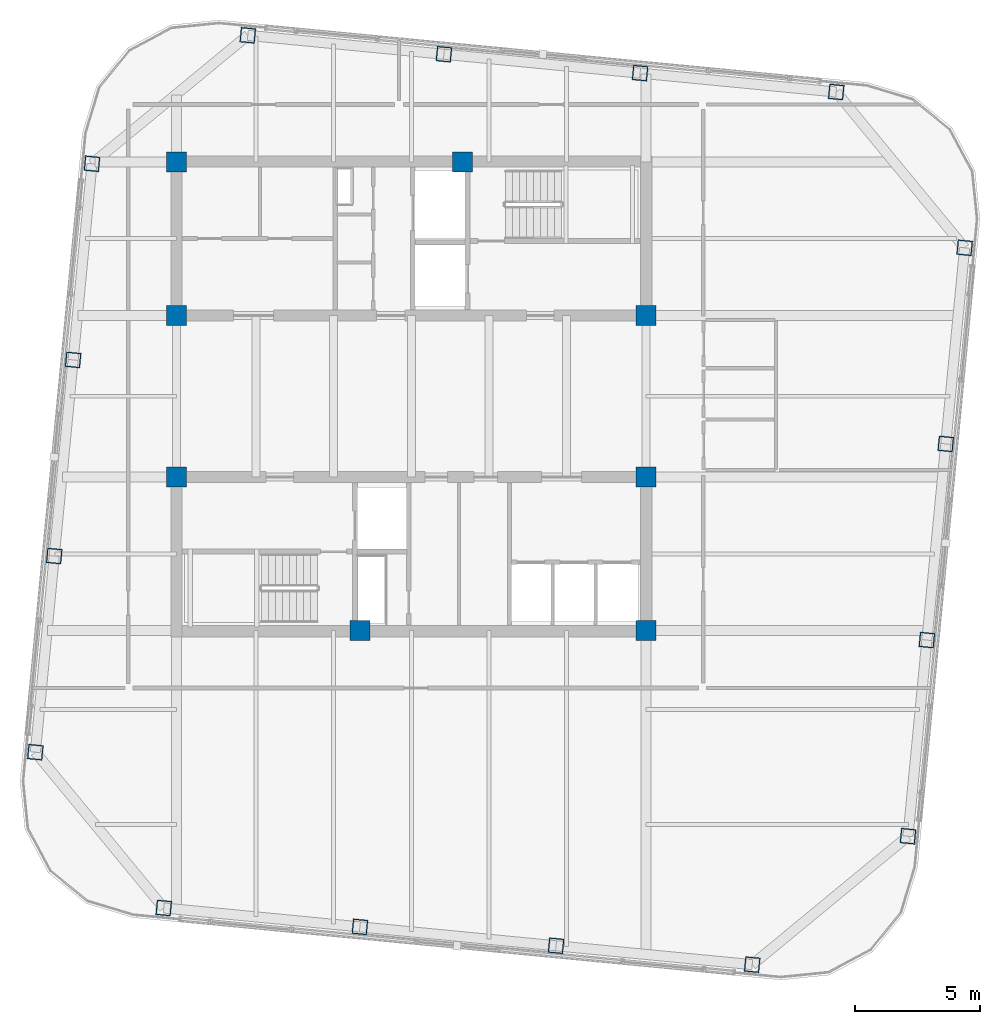
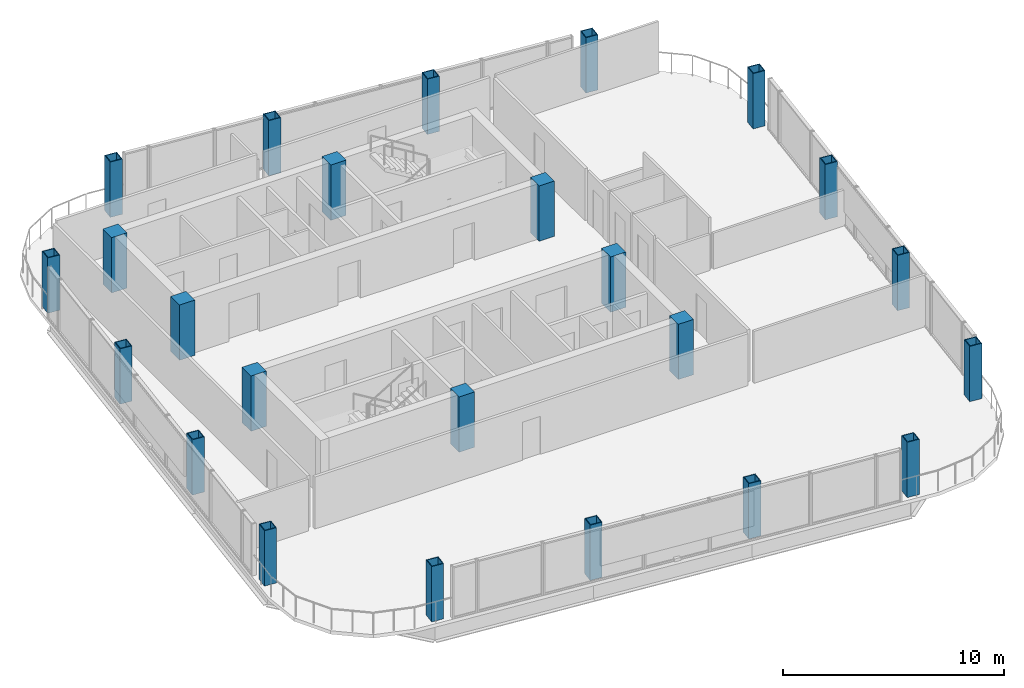
# One storey, part 1 of 22: 24 columns.
"""IFC4 building model written with IfcOpenShell, lengths in metres."""

from ifc_helpers import new_model, si_unit, direction, frame, origin, origin_2d, place, context, subcontext, project, spatial, rectangle, hollow_rectangle, extrude, material, material_profile, profile_set, type_object, element, save


model = new_model("IFC4")

# Units and contexts
model_context = context("Model", 3, precision=1e-05, world=origin(), true_north=direction((0.0, 1.0)))
body_context = subcontext(model_context, "Body", "Model", "MODEL_VIEW")
ifc_project = project(units=[si_unit("LENGTHUNIT", "METRE"), si_unit("AREAUNIT", "SQUARE_METRE"), si_unit("VOLUMEUNIT", "CUBIC_METRE"), si_unit("PLANEANGLEUNIT", "RADIAN"), si_unit("MASSUNIT", "GRAM", prefix="KILO")], contexts=[model_context])

# Site, building, storey
site_placement = place(None, origin())
site = spatial("IfcSite", under=ifc_project, at=site_placement, CompositionType="ELEMENT")
building_placement = place(site_placement, origin())
building = spatial("IfcBuilding", under=site, at=building_placement, Name="Qhalaya Broadcast Tower", CompositionType="ELEMENT")
storey_placement = place(building_placement, frame((0.0, 0.0, 245.89990234375)))
storey = spatial("IfcBuildingStorey", under=building, at=storey_placement, Name="L72", CompositionType="ELEMENT", Elevation=245.89990234375)

# Columns
ifc_material_1 = material(Name="Concrete C50/60", Category="concrete")
ifc_material_profile_1 = material_profile(ifc_material_1, rectangle(XDim=0.800048828125, YDim=0.800048828125, at=origin_2d()), Name="RC-COL 800x800")
ifc_profile_set_1 = profile_set([ifc_material_profile_1], Name="Concrete C50/60")
column_type_1 = type_object("IfcColumnType", Name="RC Upper Column C10", PredefinedType="COLUMN", material=ifc_profile_set_1)
for number, where, z_axis, x_axis, name in (
    (1, (-9.375, 9.949951171875, 0.0), (0.0, 0.0, 1.0), (1.0, 0.0, 0.0), "L72 Column COL-CC1"),
    (2, (2.050048828125, 9.949951171875, 0.0), (0.0, 0.0, 1.0), (1.0, 0.0, 0.0), "L72 Column COL-CC2"),
    (3, (-9.375, 3.824951171875, 0.0), (0.0, 0.0, 1.0), (1.0, 0.0, 0.0), "L72 Column COL-CC3"),
    (4, (9.375, 3.824951171875, 0.0), (0.0, 0.0, 1.0), (1.0, 0.0, 0.0), "L72 Column COL-CC4"),
    (5, (-9.375, -2.625, 0.0), (0.0, 0.0, 1.0), (1.0, 0.0, 0.0), "L72 Column COL-CC5"),
    (6, (9.375, -2.625, 0.0), (0.0, 0.0, 1.0), (1.0, 0.0, 0.0), "L72 Column COL-CC6"),
    (7, (-2.050048828125, -8.75, 0.0), (0.0, 0.0, 1.0), (1.0, 0.0, 0.0), "L72 Column COL-CC7"),
    (8, (9.375, -8.75, 0.0), (0.0, 0.0, 1.0), (1.0, 0.0, 0.0), "L72 Column COL-CC8"),
):
    element("IfcColumn", number, at=place(storey_placement, frame(where, z_axis=z_axis, x_axis=x_axis)), inside=storey, type_object=column_type_1, Name=name, PredefinedType="COLUMN", context=body_context, shape_type="SweptSolid", body=[
        extrude(rectangle(XDim=0.800048828125, YDim=0.800048828125, at=origin_2d()), origin(), (0.0, 0.0, 1.0), 3.050048828125),
    ])
ifc_material_2 = material(Name="Structural Steel ASTM A572 Grade 50", Category="steel")
ifc_material_profile_2 = material_profile(ifc_material_2, hollow_rectangle(XDim=0.60009765625, YDim=0.60009765625, WallThickness=0.0400390625, at=origin_2d()), Name="BOX 600x600x40")
ifc_profile_set_2 = profile_set([ifc_material_profile_2], Name="Structural Steel ASTM A572 Grade 50")
column_type_2 = type_object("IfcColumnType", Name="Steel Box Column C05", PredefinedType="COLUMN", material=ifc_profile_set_2)
for number, where, z_axis, x_axis, name in (
    (9, (-9.883056640625, -19.82861328125, 0.0), (0.0, 0.0, 1.0), (0.995396198367, -0.09584575252, 0.0), "L72 Column COL-EX01"),
    (10, (-2.052490234375, -20.58251953125, 0.0), (0.0, 0.0, 1.0), (0.995396198367, -0.09584575252, 0.0), "L72 Column COL-EX02"),
    (11, (5.77783203125, -21.33642578125, 0.0), (0.0, 0.0, 1.0), (0.995396198367, -0.09584575252, 0.0), "L72 Column COL-EX03"),
    (12, (13.6083984375, -22.09033203125, 0.0), (0.0, 0.0, 1.0), (0.995396198367, -0.09584575252, 0.0), "L72 Column COL-EX04"),
    (13, (19.82861328125, -16.962890625, 0.0), (0.0, 0.0, 1.0), (0.09584575252, 0.995396198367, 0.0), "L72 Column COL-EX05"),
    (14, (20.58251953125, -9.132568359375, 0.0), (0.0, 0.0, 1.0), (0.09584575252, 0.995396198367, 0.0), "L72 Column COL-EX06"),
    (15, (21.33642578125, -1.302001953125, 0.0), (0.0, 0.0, 1.0), (0.09584575252, 0.995396198367, 0.0), "L72 Column COL-EX07"),
    (16, (22.09033203125, 6.5283203125, 0.0), (0.0, 0.0, 1.0), (0.09584575252, 0.995396198367, 0.0), "L72 Column COL-EX08"),
    (17, (16.962890625, 12.74853515625, 0.0), (0.0, 0.0, 1.0), (0.995396198367, -0.09584575252, 0.0), "L72 Column COL-EX09"),
    (18, (9.132568359375, 13.50244140625, 0.0), (0.0, 0.0, 1.0), (0.995396198367, -0.09584575252, 0.0), "L72 Column COL-EX10"),
    (19, (1.302001953125, 14.25634765625, 0.0), (0.0, 0.0, 1.0), (0.995396198367, -0.09584575252, 0.0), "L72 Column COL-EX11"),
    (20, (-6.5283203125, 15.010498046875, 0.0), (0.0, 0.0, 1.0), (0.995396198367, -0.09584575252, 0.0), "L72 Column COL-EX12"),
    (21, (-12.74853515625, 9.883056640625, 0.0), (0.0, 0.0, 1.0), (0.09584575252, 0.995396198367, 0.0), "L72 Column COL-EX13"),
    (22, (-13.50244140625, 2.052490234375, 0.0), (0.0, 0.0, 1.0), (0.09584575252, 0.995396198367, 0.0), "L72 Column COL-EX14"),
    (23, (-14.25634765625, -5.77783203125, 0.0), (0.0, 0.0, 1.0), (0.09584575252, 0.995396198367, 0.0), "L72 Column COL-EX15"),
    (24, (-15.010498046875, -13.6083984375, 0.0), (0.0, 0.0, 1.0), (0.09584575252, 0.995396198367, 0.0), "L72 Column COL-EX16"),
):
    element("IfcColumn", number, at=place(storey_placement, frame(where, z_axis=z_axis, x_axis=x_axis)), inside=storey, type_object=column_type_2, Name=name, PredefinedType="COLUMN", context=body_context, shape_type="SweptSolid", body=[
        extrude(hollow_rectangle(XDim=0.60009765625, YDim=0.60009765625, WallThickness=0.0400390625, at=origin_2d()), origin(), (0.0, 0.0, 1.0), 3.050048828125),
    ])

save(model, "model.ifc")
